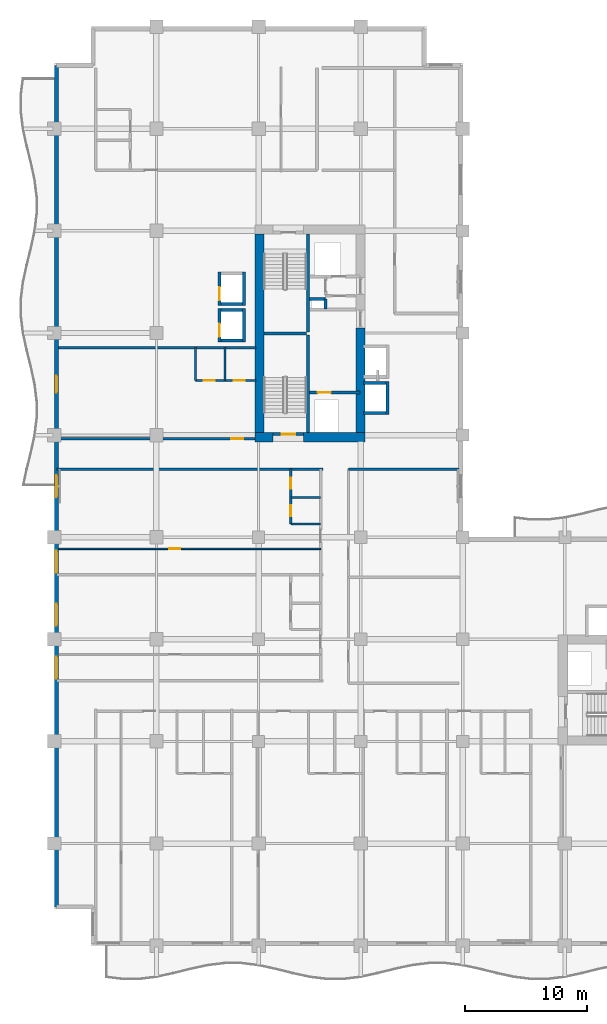
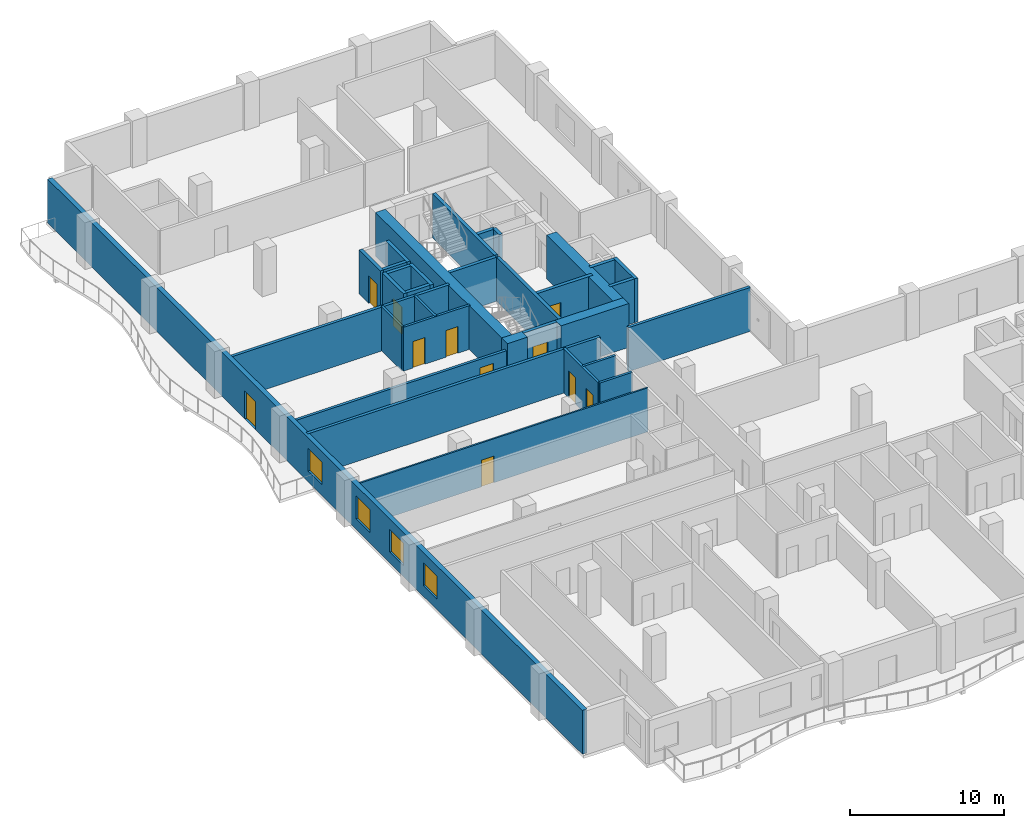
# One storey, part 7 of 16: 33 walls, 11 doors, 4 windows, 15 openings.
"""IFC4 building model written with IfcOpenShell, lengths in metres."""

from ifc_helpers import new_model, si_unit, direction, frame, frame_2d, origin, place, context, subcontext, project, spatial, rectangle, extrude, material, layer, layer_set, type_object, element, fill, save


model = new_model("IFC4")

# Units and contexts
model_context = context("Model", 3, precision=1e-05, world=origin(), true_north=direction((0.0, 1.0)))
body_context = subcontext(model_context, "Body", "Model", "MODEL_VIEW")
ifc_project = project(units=[si_unit("LENGTHUNIT", "METRE"), si_unit("AREAUNIT", "SQUARE_METRE"), si_unit("VOLUMEUNIT", "CUBIC_METRE"), si_unit("PLANEANGLEUNIT", "RADIAN"), si_unit("MASSUNIT", "GRAM", prefix="KILO")], contexts=[model_context])

# Site, building, storey
site_placement = place(None, origin())
site = spatial("IfcSite", under=ifc_project, at=site_placement, CompositionType="ELEMENT")
building_placement = place(site_placement, origin())
building = spatial("IfcBuilding", under=site, at=building_placement, Name="Koriwani Terraces Tower", CompositionType="ELEMENT")
storey_placement = place(building_placement, frame((0.0, 0.0, 179.10009765625)))
storey = spatial("IfcBuildingStorey", under=building, at=storey_placement, Name="L43", CompositionType="ELEMENT", Elevation=179.10009765625)

# Walls
ifc_material_1 = material(Name="Concrete C60/75", Category="concrete")
ifc_layer_1 = layer(ifc_material_1, 0.75, Name="Concrete C60/75")
ifc_layer_set_1 = layer_set([ifc_layer_1], Name="Concrete C60/75")
wall_type_1 = type_object("IfcWallType", Name="WALL_CORE_RC_750", PredefinedType="SHEAR", material=ifc_layer_set_1)
wall_1_placement = place(storey_placement, frame((16.5, 41.824951171875, 0.0), z_axis=(0.0, 0.0, 1.0), x_axis=(1.0, 0.0, 0.0)))
element("IfcWall", 1, at=wall_1_placement, inside=storey, type_object=wall_type_1, Name="L43 West Split Core Shear Wall S1", PredefinedType="SHEAR", context=body_context, shape_type="SweptSolid", body=[
    extrude(rectangle(XDim=1.5, YDim=0.75, at=frame_2d((0.75, 0.0))), origin(), (0.0, 0.0, 1.0), 3.469970703125),
])
wall_2_placement = place(storey_placement, frame((20.5, 41.824951171875, 0.0), z_axis=(0.0, 0.0, 1.0), x_axis=(1.0, 0.0, 0.0)))
element("IfcWall", 2, at=wall_2_placement, inside=storey, type_object=wall_type_1, Name="L43 West Split Core Shear Wall S2", PredefinedType="SHEAR", context=body_context, shape_type="SweptSolid", body=[
    extrude(rectangle(XDim=5.074951171875, YDim=0.75, at=frame_2d((2.53759765625, 0.0))), origin(), (0.0, 0.0, 1.0), 3.469970703125),
])
wall_3_placement = place(storey_placement, frame((16.875, 42.199951171875, 0.0), z_axis=(0.0, 0.0, 1.0), x_axis=(0.0, 1.0, 0.0)))
element("IfcWall", 3, at=wall_3_placement, inside=storey, type_object=wall_type_1, Name="L43 West Split Core Shear Wall W1", PredefinedType="SHEAR", context=body_context, shape_type="SweptSolid", body=[
    extrude(rectangle(XDim=16.35009765625, YDim=0.75, at=frame_2d((8.175048828125, 0.0))), origin(), (0.0, 0.0, 1.0), 3.469970703125),
])
wall_4_placement = place(storey_placement, frame((25.199951171875, 42.199951171875, 0.0), z_axis=(0.0, 0.0, 1.0), x_axis=(0.0, 1.0, 0.0)))
element("IfcWall", 4, at=wall_4_placement, inside=storey, type_object=wall_type_1, Name="L43 West Split Core Shear Wall E1", PredefinedType="SHEAR", context=body_context, shape_type="SweptSolid", body=[
    extrude(rectangle(XDim=8.60009765625, YDim=0.75, at=frame_2d((4.300048828125, 0.0))), origin(), (0.0, 0.0, 1.0), 3.469970703125),
])

# Wall, opening, door
ifc_material_2 = material(Name="Autoclaved Cellular Concrete Blockwork", Category="masonry")
ifc_layer_2 = layer(ifc_material_2, 0.199951171875, Name="Autoclaved Cellular Concrete Blockwork")
ifc_layer_set_2 = layer_set([ifc_layer_2], Name="Autoclaved Cellular Concrete Blockwork")
wall_type_2 = type_object("IfcWallType", Name="WALL_CORRIDOR_200", PredefinedType="PARTITIONING", material=ifc_layer_set_2)
wall_5_placement = place(storey_placement, frame((0.35009765625, 41.699951171875, 0.0), z_axis=(0.0, 0.0, 1.0), x_axis=(1.0, 0.0, 0.0)))
wall_5 = element("IfcWall", 5, at=wall_5_placement, inside=storey, type_object=wall_type_2, Name="L43 Interior Wall WREC-WS-L43", PredefinedType="PARTITIONING", context=body_context, shape_type="SweptSolid", body=[
    extrude(rectangle(XDim=16.25, YDim=0.199951171875, at=frame_2d((8.125, 0.0))), origin(), (0.0, 0.0, 1.0), 2.81982421875),
])
opening_1_placement = place(wall_5_placement, frame((14.199951171875, 0.0, 0.0)))
opening_1 = element("IfcOpeningElement", 6, at=opening_1_placement, cuts=wall_5, Name="Opening D-05", PredefinedType="OPENING", context=body_context, shape_type="SweptSolid", body=[
    extrude(rectangle(XDim=1.0, YDim=2.14990234375, at=frame_2d((0.5, 1.074951171875))), frame((0.0, 0.10986328125, 0.0), z_axis=(0.0, -1.0, 0.0), x_axis=(1.0, 0.0, 0.0)), (0.0, 0.0, 1.0), 0.219970703125),
])
ifc_material_3 = material(Name="Architectural Oak Fire Door", Category="wood")
door_type_1 = type_object("IfcDoorType", Name="DOOR_SUITE_ENTRY_1000X2150", OperationType="NOTDEFINED", PredefinedType="DOOR", material=ifc_material_3)
door_1_placement = place(opening_1_placement, origin())
door_1 = element("IfcDoor", 7, at=door_1_placement, inside=storey, type_object=door_type_1, Name="L43 Reclaimed West Suite Door", OperationType="SINGLE_SWING_LEFT", OverallHeight=2.14990234375, OverallWidth=1.0, PredefinedType="DOOR", context=body_context, shape_type="SweptSolid", body=[
    extrude(rectangle(XDim=1.0, YDim=2.14990234375, at=frame_2d((0.5, 1.074951171875))), frame((0.0, 0.02490234375, 0.0), z_axis=(0.0, -1.0, 0.0), x_axis=(1.0, 0.0, 0.0)), (0.0, 0.0, 1.0), 0.050048828125),
])
fill(opening_1, door_1)

# Walls
ifc_layer_3 = layer(ifc_material_2, 0.219970703125, Name="Autoclaved Cellular Concrete Blockwork")
ifc_layer_set_3 = layer_set([ifc_layer_3], Name="Autoclaved Cellular Concrete Blockwork")
wall_type_3 = type_object("IfcWallType", Name="WALL_DEMISING_220", PredefinedType="PARTITIONING", material=ifc_layer_set_3)
wall_6_placement = place(storey_placement, frame((0.35009765625, 49.199951171875, 0.0), z_axis=(0.0, 0.0, 1.0), x_axis=(1.0, 0.0, 0.0)))
element("IfcWall", 8, at=wall_6_placement, inside=storey, type_object=wall_type_3, Name="L43 Interior Wall WREC-WN-L43", PredefinedType="PARTITIONING", context=body_context, shape_type="SweptSolid", body=[
    extrude(rectangle(XDim=16.25, YDim=0.219970703125, at=frame_2d((8.125, 0.0))), origin(), (0.0, 0.0, 1.0), 3.469970703125),
])
wall_7_placement = place(storey_placement, frame((24.199951171875, 39.199951171875, 0.0), z_axis=(0.0, 0.0, 1.0), x_axis=(1.0, 0.0, 0.0)))
element("IfcWall", 9, at=wall_7_placement, inside=storey, type_object=wall_type_3, Name="L43 Interior Wall WIC2-N-L43", PredefinedType="PARTITIONING", context=body_context, shape_type="SweptSolid", body=[
    extrude(rectangle(XDim=9.10009765625, YDim=0.219970703125, at=frame_2d((4.550048828125, 0.0))), origin(), (0.0, 0.0, 1.0), 3.469970703125),
])
wall_8_placement = place(storey_placement, frame((0.199951171875, 39.199951171875, 0.0), z_axis=(0.0, 0.0, 1.0), x_axis=(1.0, 0.0, 0.0)))
element("IfcWall", 10, at=wall_8_placement, inside=storey, type_object=wall_type_3, Name="L43 Interior Wall WRDEME-L43-NW", PredefinedType="PARTITIONING", context=body_context, shape_type="SweptSolid", body=[
    extrude(rectangle(XDim=21.880126953125, YDim=0.219970703125, at=frame_2d((10.93994140625, 0.0))), origin(), (0.0, 0.0, 1.0), 3.469970703125),
])

# Wall, openings, door, windows
ifc_material_4 = material(Name="Concrete C50/60", Category="concrete")
ifc_layer_4 = layer(ifc_material_4, 0.35009765625, Name="Concrete C50/60")
ifc_layer_set_4 = layer_set([ifc_layer_4], Name="Concrete C50/60")
wall_type_4 = type_object("IfcWallType", Name="WALL_EXT_BRUTALIST_350", PredefinedType="STANDARD", material=ifc_layer_set_4)
wall_9_placement = place(storey_placement, frame((0.175048828125, 3.175048828125, 0.0), z_axis=(0.0, 0.0, 1.0), x_axis=(0.0, 1.0, 0.0)))
wall_9 = element("IfcWall", 11, at=wall_9_placement, inside=storey, type_object=wall_type_4, Name="L43 Fair-Faced Brutalist Exterior Wall (W)", PredefinedType="STANDARD", context=body_context, shape_type="SweptSolid", body=[
    extrude(rectangle(XDim=69.25, YDim=0.35009765625, at=frame_2d((34.625, 0.0))), origin(), (0.0, 0.0, 1.0), 3.469970703125),
])
opening_2_placement = place(wall_9_placement, frame((42.324951171875, 0.0, 0.0)))
opening_2 = element("IfcOpeningElement", 12, at=opening_2_placement, cuts=wall_9, Name="Opening D-09", PredefinedType="OPENING", context=body_context, shape_type="SweptSolid", body=[
    extrude(rectangle(XDim=1.39990234375, YDim=2.199951171875, at=frame_2d((0.699951171875, 1.10009765625))), frame((0.0, 0.18505859375, 0.0), z_axis=(0.0, -1.0, 0.0), x_axis=(1.0, 0.0, 0.0)), (0.0, 0.0, 1.0), 0.3701171875),
])
opening_3_placement = place(wall_9_placement, frame((33.72509765625, 0.0, 0.85009765625)))
opening_3 = element("IfcOpeningElement", 13, at=opening_3_placement, cuts=wall_9, Name="Opening W-04", PredefinedType="OPENING", context=body_context, shape_type="SweptSolid", body=[
    extrude(rectangle(XDim=1.800048828125, YDim=1.800048828125, at=frame_2d((0.89990234375, 0.89990234375))), frame((0.0, 0.18505859375, 0.0), z_axis=(0.0, -1.0, 0.0), x_axis=(1.0, 0.0, 0.0)), (0.0, 0.0, 1.0), 0.3701171875),
])
opening_4_placement = place(wall_9_placement, frame((18.800048828125, 0.0, 0.85009765625)))
opening_4 = element("IfcOpeningElement", 14, at=opening_4_placement, cuts=wall_9, Name="Opening W-04", PredefinedType="OPENING", context=body_context, shape_type="SweptSolid", body=[
    extrude(rectangle(XDim=1.800048828125, YDim=1.800048828125, at=frame_2d((0.89990234375, 0.89990234375))), frame((0.0, 0.18505859375, 0.0), z_axis=(0.0, -1.0, 0.0), x_axis=(1.0, 0.0, 0.0)), (0.0, 0.0, 1.0), 0.3701171875),
])
opening_5_placement = place(wall_9_placement, frame((23.14990234375, 0.0, 0.85009765625)))
opening_5 = element("IfcOpeningElement", 15, at=opening_5_placement, cuts=wall_9, Name="Opening W-04", PredefinedType="OPENING", context=body_context, shape_type="SweptSolid", body=[
    extrude(rectangle(XDim=1.800048828125, YDim=1.800048828125, at=frame_2d((0.89990234375, 0.89990234375))), frame((0.0, 0.18505859375, 0.0), z_axis=(0.0, -1.0, 0.0), x_axis=(1.0, 0.0, 0.0)), (0.0, 0.0, 1.0), 0.3701171875),
])
opening_6_placement = place(wall_9_placement, frame((27.5, 0.0, 0.85009765625)))
opening_6 = element("IfcOpeningElement", 16, at=opening_6_placement, cuts=wall_9, Name="Opening W-04", PredefinedType="OPENING", context=body_context, shape_type="SweptSolid", body=[
    extrude(rectangle(XDim=1.800048828125, YDim=1.800048828125, at=frame_2d((0.89990234375, 0.89990234375))), frame((0.0, 0.18505859375, 0.0), z_axis=(0.0, -1.0, 0.0), x_axis=(1.0, 0.0, 0.0)), (0.0, 0.0, 1.0), 0.3701171875),
])
ifc_material_5 = material(Name="Anodised Bronze Aluminium", Category="aluminium")
door_type_2 = type_object("IfcDoorType", Name="DOOR_BALCONY_GLAZED_1400X2200", OperationType="NOTDEFINED", PredefinedType="DOOR", material=ifc_material_5)
door_2_placement = place(opening_2_placement, origin())
door_2 = element("IfcDoor", 17, at=door_2_placement, inside=storey, type_object=door_type_2, Name="L43 West Balcony Glazed Door", OperationType="SINGLE_SWING_LEFT", OverallHeight=2.199951171875, OverallWidth=1.39990234375, PredefinedType="DOOR", context=body_context, shape_type="SweptSolid", body=[
    extrude(rectangle(XDim=1.39990234375, YDim=2.199951171875, at=frame_2d((0.699951171875, 1.10009765625))), frame((0.0, 0.02490234375, 0.0), z_axis=(0.0, -1.0, 0.0), x_axis=(1.0, 0.0, 0.0)), (0.0, 0.0, 1.0), 0.050048828125),
])
fill(opening_2, door_2)
ifc_material_6 = material(Name="Tempered Laminated Low-E Glass", Category="glass")
window_type = type_object("IfcWindowType", Name="WIN_RES_BED_1800X1800", PartitioningType="DOUBLE_PANEL_VERTICAL", PredefinedType="WINDOW", material=ifc_material_6)
window_1_placement = place(opening_3_placement, origin())
window_1 = element("IfcWindow", 18, at=window_1_placement, inside=storey, type_object=window_type, Name="L43 Exterior Window (W-12)", OverallHeight=1.800048828125, OverallWidth=1.800048828125, PartitioningType="SINGLE_PANEL", PredefinedType="WINDOW", context=body_context, shape_type="SweptSolid", body=[
    extrude(rectangle(XDim=1.800048828125, YDim=1.800048828125, at=frame_2d((0.89990234375, 0.89990234375))), frame((0.0, 0.030029296875, 0.0), z_axis=(0.0, -1.0, 0.0), x_axis=(1.0, 0.0, 0.0)), (0.0, 0.0, 1.0), 0.06005859375),
])
fill(opening_3, window_1)
window_2_placement = place(opening_4_placement, origin())
window_2 = element("IfcWindow", 19, at=window_2_placement, inside=storey, type_object=window_type, Name="L43 Exterior Window (W-R49)", OverallHeight=1.800048828125, OverallWidth=1.800048828125, PartitioningType="SINGLE_PANEL", PredefinedType="WINDOW", context=body_context, shape_type="SweptSolid", body=[
    extrude(rectangle(XDim=1.800048828125, YDim=1.800048828125, at=frame_2d((0.89990234375, 0.89990234375))), frame((0.0, 0.030029296875, 0.0), z_axis=(0.0, -1.0, 0.0), x_axis=(1.0, 0.0, 0.0)), (0.0, 0.0, 1.0), 0.06005859375),
])
fill(opening_4, window_2)
window_3_placement = place(opening_5_placement, origin())
window_3 = element("IfcWindow", 20, at=window_3_placement, inside=storey, type_object=window_type, Name="L43 Exterior Window (W-R50)", OverallHeight=1.800048828125, OverallWidth=1.800048828125, PartitioningType="SINGLE_PANEL", PredefinedType="WINDOW", context=body_context, shape_type="SweptSolid", body=[
    extrude(rectangle(XDim=1.800048828125, YDim=1.800048828125, at=frame_2d((0.89990234375, 0.89990234375))), frame((0.0, 0.030029296875, 0.0), z_axis=(0.0, -1.0, 0.0), x_axis=(1.0, 0.0, 0.0)), (0.0, 0.0, 1.0), 0.06005859375),
])
fill(opening_5, window_3)
window_4_placement = place(opening_6_placement, origin())
window_4 = element("IfcWindow", 21, at=window_4_placement, inside=storey, type_object=window_type, Name="L43 Exterior Window (W-R53)", OverallHeight=1.800048828125, OverallWidth=1.800048828125, PartitioningType="SINGLE_PANEL", PredefinedType="WINDOW", context=body_context, shape_type="SweptSolid", body=[
    extrude(rectangle(XDim=1.800048828125, YDim=1.800048828125, at=frame_2d((0.89990234375, 0.89990234375))), frame((0.0, 0.030029296875, 0.0), z_axis=(0.0, -1.0, 0.0), x_axis=(1.0, 0.0, 0.0)), (0.0, 0.0, 1.0), 0.06005859375),
])
fill(opening_6, window_4)

# Wall, opening, door
ifc_material_7 = material(Name="Fire-Rated Acoustic Gypsum Partition", Category="masonry")
ifc_layer_5 = layer(ifc_material_7, 0.125, Name="Fire-Rated Acoustic Gypsum Partition")
ifc_layer_set_5 = layer_set([ifc_layer_5], Name="Fire-Rated Acoustic Gypsum Partition")
wall_type_5 = type_object("IfcWallType", Name="WALL_INT_125", PredefinedType="PARTITIONING", material=ifc_layer_set_5)
wall_10_placement = place(storey_placement, frame((0.35009765625, 32.64990234375, 0.0), z_axis=(0.0, 0.0, 1.0), x_axis=(1.0, 0.0, 0.0)))
wall_10 = element("IfcWall", 22, at=wall_10_placement, inside=storey, type_object=wall_type_5, Name="L43 Interior Wall WRBED1-L43-NW-1", PredefinedType="PARTITIONING", context=body_context, shape_type="SweptSolid", body=[
    extrude(rectangle(XDim=21.5498046875, YDim=0.125, at=frame_2d((10.77490234375, 0.0))), origin(), (0.0, 0.0, 1.0), 3.469970703125),
])
opening_7_placement = place(wall_10_placement, frame((9.090087890625, 0.0, 0.0)))
opening_7 = element("IfcOpeningElement", 23, at=opening_7_placement, cuts=wall_10, Name="Opening D-06", PredefinedType="OPENING", context=body_context, shape_type="SweptSolid", body=[
    extrude(rectangle(XDim=0.919921875, YDim=2.10009765625, at=frame_2d((0.4599609375, 1.050048828125))), frame((0.0, 0.072509765625, 0.0), z_axis=(0.0, -1.0, 0.0), x_axis=(1.0, 0.0, 0.0)), (0.0, 0.0, 1.0), 0.14501953125),
])
door_type_3 = type_object("IfcDoorType", Name="DOOR_ROOM_INT_920X2100", OperationType="NOTDEFINED", PredefinedType="DOOR", material=ifc_material_3)
door_3_placement = place(opening_7_placement, origin())
door_3 = element("IfcDoor", 24, at=door_3_placement, inside=storey, type_object=door_type_3, Name="Apartment 43NW2 Master Bedroom Door", OperationType="SINGLE_SWING_RIGHT", OverallHeight=2.10009765625, OverallWidth=0.919921875, PredefinedType="DOOR", context=body_context, shape_type="SweptSolid", body=[
    extrude(rectangle(XDim=0.919921875, YDim=2.10009765625, at=frame_2d((0.4599609375, 1.050048828125))), frame((0.0, 0.02490234375, 0.0), z_axis=(0.0, -1.0, 0.0), x_axis=(1.0, 0.0, 0.0)), (0.0, 0.0, 1.0), 0.050048828125),
])
fill(opening_7, door_3)

# Wall, openings, doors
ifc_layer_6 = layer(ifc_material_7, 0.179931640625, Name="Fire-Rated Acoustic Gypsum Partition")
ifc_layer_set_6 = layer_set([ifc_layer_6], Name="Fire-Rated Acoustic Gypsum Partition")
wall_type_6 = type_object("IfcWallType", Name="WALL_PLUMBING_180", PredefinedType="PLUMBINGWALL", material=ifc_layer_set_6)
wall_11_placement = place(storey_placement, frame((11.60009765625, 46.5, 0.0), z_axis=(0.0, 0.0, 1.0), x_axis=(1.0, 0.0, 0.0)))
wall_11 = element("IfcWall", 25, at=wall_11_placement, inside=storey, type_object=wall_type_6, Name="L43 Interior Wall WREC-WBB-L43", PredefinedType="PLUMBINGWALL", context=body_context, shape_type="SweptSolid", body=[
    extrude(rectangle(XDim=5.0, YDim=0.179931640625, at=frame_2d((2.5, 0.0))), origin(), (0.0, 0.0, 1.0), 3.469970703125),
])
opening_8_placement = place(wall_11_placement, frame((0.699951171875, 0.0, 0.0)))
opening_8 = element("IfcOpeningElement", 26, at=opening_8_placement, cuts=wall_11, Name="Opening D-07", PredefinedType="OPENING", context=body_context, shape_type="SweptSolid", body=[
    extrude(rectangle(XDim=0.89990234375, YDim=2.10009765625, at=frame_2d((0.449951171875, 1.050048828125))), frame((0.0, 0.10009765625, 0.0), z_axis=(0.0, -1.0, 0.0), x_axis=(1.0, 0.0, 0.0)), (0.0, 0.0, 1.0), 0.199951171875),
])
opening_9_placement = place(wall_11_placement, frame((3.14990234375, 0.0, 0.0)))
opening_9 = element("IfcOpeningElement", 27, at=opening_9_placement, cuts=wall_11, Name="Opening D-06", PredefinedType="OPENING", context=body_context, shape_type="SweptSolid", body=[
    extrude(rectangle(XDim=0.919921875, YDim=2.10009765625, at=frame_2d((0.4599609375, 1.050048828125))), frame((0.0, 0.10009765625, 0.0), z_axis=(0.0, -1.0, 0.0), x_axis=(1.0, 0.0, 0.0)), (0.0, 0.0, 1.0), 0.199951171875),
])
door_type_4 = type_object("IfcDoorType", Name="DOOR_BATH_INT_900X2100", OperationType="NOTDEFINED", PredefinedType="DOOR", material=ifc_material_3)
door_4_placement = place(opening_8_placement, origin())
door_4 = element("IfcDoor", 28, at=door_4_placement, inside=storey, type_object=door_type_4, Name="Apartment 43RW Bathroom Door", OperationType="SINGLE_SWING_RIGHT", OverallHeight=2.10009765625, OverallWidth=0.89990234375, PredefinedType="DOOR", context=body_context, shape_type="SweptSolid", body=[
    extrude(rectangle(XDim=0.89990234375, YDim=2.10009765625, at=frame_2d((0.449951171875, 1.050048828125))), frame((0.0, 0.02490234375, 0.0), z_axis=(0.0, -1.0, 0.0), x_axis=(1.0, 0.0, 0.0)), (0.0, 0.0, 1.0), 0.050048828125),
])
fill(opening_8, door_4)
door_5_placement = place(opening_9_placement, origin())
door_5 = element("IfcDoor", 29, at=door_5_placement, inside=storey, type_object=door_type_3, Name="Apartment 43RW Kitchen Door", OperationType="SINGLE_SWING_LEFT", OverallHeight=2.10009765625, OverallWidth=0.919921875, PredefinedType="DOOR", context=body_context, shape_type="SweptSolid", body=[
    extrude(rectangle(XDim=0.919921875, YDim=2.10009765625, at=frame_2d((0.4599609375, 1.050048828125))), frame((0.0, 0.02490234375, 0.0), z_axis=(0.0, -1.0, 0.0), x_axis=(1.0, 0.0, 0.0)), (0.0, 0.0, 1.0), 0.050048828125),
])
fill(opening_9, door_5)

# Walls
for number, where, z_axis, x_axis, name in (
    (30, (11.60009765625, 46.5, 0.0), (0.0, 0.0, 1.0), (0.0, 1.0, 0.0), "L43 Interior Wall WREC-WB2-L43"),
    (31, (14.050048828125, 46.5, 0.0), (0.0, 0.0, 1.0), (0.0, 1.0, 0.0), "L43 Interior Wall WREC-WB3-L43"),
):
    element("IfcWall", number, at=place(storey_placement, frame(where, z_axis=z_axis, x_axis=x_axis)), inside=storey, type_object=wall_type_6, Name=name, PredefinedType="PLUMBINGWALL", context=body_context, shape_type="SweptSolid", body=[
        extrude(rectangle(XDim=2.699951171875, YDim=0.179931640625, at=frame_2d((1.35009765625, 0.0))), origin(), (0.0, 0.0, 1.0), 3.469970703125),
    ])

# Wall, openings, doors
wall_12_placement = place(storey_placement, frame((19.449951171875, 34.699951171875, 0.0), z_axis=(0.0, 0.0, 1.0), x_axis=(0.0, 1.0, 0.0)))
wall_12 = element("IfcWall", 32, at=wall_12_placement, inside=storey, type_object=wall_type_6, Name="L43 Interior Wall WRSVC-L43-NW-1", PredefinedType="PLUMBINGWALL", context=body_context, shape_type="SweptSolid", body=[
    extrude(rectangle(XDim=4.5, YDim=0.179931640625, at=frame_2d((2.25, 0.0))), origin(), (0.0, 0.0, 1.0), 3.469970703125),
])
opening_10_placement = place(wall_12_placement, frame((0.6298828125, 0.0, 0.0)))
opening_10 = element("IfcOpeningElement", 33, at=opening_10_placement, cuts=wall_12, Name="Opening D-07", PredefinedType="OPENING", context=body_context, shape_type="SweptSolid", body=[
    extrude(rectangle(XDim=0.89990234375, YDim=2.10009765625, at=frame_2d((0.449951171875, 1.050048828125))), frame((0.0, 0.10009765625, 0.0), z_axis=(0.0, -1.0, 0.0), x_axis=(1.0, 0.0, 0.0)), (0.0, 0.0, 1.0), 0.199951171875),
])
opening_11_placement = place(wall_12_placement, frame((2.8701171875, 0.0, 0.0)))
opening_11 = element("IfcOpeningElement", 34, at=opening_11_placement, cuts=wall_12, Name="Opening D-06", PredefinedType="OPENING", context=body_context, shape_type="SweptSolid", body=[
    extrude(rectangle(XDim=0.919921875, YDim=2.10009765625, at=frame_2d((0.4599609375, 1.050048828125))), frame((0.0, 0.10009765625, 0.0), z_axis=(0.0, -1.0, 0.0), x_axis=(1.0, 0.0, 0.0)), (0.0, 0.0, 1.0), 0.199951171875),
])
door_6_placement = place(opening_10_placement, origin())
door_6 = element("IfcDoor", 35, at=door_6_placement, inside=storey, type_object=door_type_4, Name="Apartment 43NW2 Bathroom Door", OperationType="SINGLE_SWING_RIGHT", OverallHeight=2.10009765625, OverallWidth=0.89990234375, PredefinedType="DOOR", context=body_context, shape_type="SweptSolid", body=[
    extrude(rectangle(XDim=0.89990234375, YDim=2.10009765625, at=frame_2d((0.449951171875, 1.050048828125))), frame((0.0, 0.02490234375, 0.0), z_axis=(0.0, -1.0, 0.0), x_axis=(1.0, 0.0, 0.0)), (0.0, 0.0, 1.0), 0.050048828125),
])
fill(opening_10, door_6)
door_7_placement = place(opening_11_placement, origin())
door_7 = element("IfcDoor", 36, at=door_7_placement, inside=storey, type_object=door_type_3, Name="Apartment 43NW2 Kitchen Door", OperationType="SINGLE_SWING_LEFT", OverallHeight=2.10009765625, OverallWidth=0.919921875, PredefinedType="DOOR", context=body_context, shape_type="SweptSolid", body=[
    extrude(rectangle(XDim=0.919921875, YDim=2.10009765625, at=frame_2d((0.4599609375, 1.050048828125))), frame((0.0, 0.02490234375, 0.0), z_axis=(0.0, -1.0, 0.0), x_axis=(1.0, 0.0, 0.0)), (0.0, 0.0, 1.0), 0.050048828125),
])
fill(opening_11, door_7)

# Walls
for number, where, z_axis, x_axis, name in (
    (37, (19.449951171875, 34.699951171875, 0.0), (0.0, 0.0, 1.0), (1.0, 0.0, 0.0), "L43 Interior Wall WRSVCS-L43-NW-1"),
    (38, (19.449951171875, 36.860107421875, 0.0), (0.0, 0.0, 1.0), (1.0, 0.0, 0.0), "L43 Interior Wall WRSVCM-L43-NW-1"),
):
    element("IfcWall", number, at=place(storey_placement, frame(where, z_axis=z_axis, x_axis=x_axis)), inside=storey, type_object=wall_type_6, Name=name, PredefinedType="PLUMBINGWALL", context=body_context, shape_type="SweptSolid", body=[
        extrude(rectangle(XDim=2.449951171875, YDim=0.179931640625, at=frame_2d((1.22509765625, 0.0))), origin(), (0.0, 0.0, 1.0), 3.469970703125),
    ])
ifc_material_8 = material(Name="Concrete C40/50", Category="concrete")
ifc_layer_7 = layer(ifc_material_8, 0.25, Name="Concrete C40/50")
ifc_layer_set_7 = layer_set([ifc_layer_7], Name="Concrete C40/50")
wall_type_7 = type_object("IfcWallType", Name="WALL_SHAFT_RATED_250", PredefinedType="SOLIDWALL", material=ifc_layer_set_7)
for number, where, z_axis, x_axis, name in (
    (39, (20.875, 42.199951171875, 0.0), (0.0, 0.0, 1.0), (0.0, 1.0, 0.0), "L43 West Split Core Web Wall MID1"),
    (40, (20.875, 50.5, 0.0), (0.0, 0.0, 1.0), (0.0, 1.0, 0.0), "L43 West Split Core Web Wall MID2"),
):
    element("IfcWall", number, at=place(storey_placement, frame(where, z_axis=z_axis, x_axis=x_axis)), inside=storey, type_object=wall_type_7, Name=name, PredefinedType="SOLIDWALL", context=body_context, shape_type="SweptSolid", body=[
        extrude(rectangle(XDim=8.050048828125, YDim=0.25, at=frame_2d((4.02490234375, 0.0))), origin(), (0.0, 0.0, 1.0), 3.469970703125),
    ])
wall_13_placement = place(storey_placement, frame((17.25, 50.375, 0.0), z_axis=(0.0, 0.0, 1.0), x_axis=(1.0, 0.0, 0.0)))
element("IfcWall", 41, at=wall_13_placement, inside=storey, type_object=wall_type_7, Name="L43 West Split Core Stair Dividing Wall", PredefinedType="SOLIDWALL", context=body_context, shape_type="SweptSolid", body=[
    extrude(rectangle(XDim=3.5, YDim=0.25, at=frame_2d((1.75, 0.0))), origin(), (0.0, 0.0, 1.0), 3.469970703125),
])

# Wall, opening, door
wall_14_placement = place(storey_placement, frame((18.0, 42.074951171875, 0.0), z_axis=(0.0, 0.0, 1.0), x_axis=(1.0, 0.0, 0.0)))
wall_14 = element("IfcWall", 42, at=wall_14_placement, inside=storey, type_object=wall_type_7, Name="L43 Interior Wall WIN-CW-L43-STS", PredefinedType="SOLIDWALL", context=body_context, shape_type="SweptSolid", body=[
    extrude(rectangle(XDim=2.5, YDim=0.25, at=frame_2d((1.25, 0.0))), origin(), (0.0, 0.0, 1.0), 3.469970703125),
])
opening_12_placement = place(wall_14_placement, frame((0.699951171875, 0.0, 0.0)))
opening_12 = element("IfcOpeningElement", 43, at=opening_12_placement, cuts=wall_14, Name="Opening D-03", PredefinedType="OPENING", context=body_context, shape_type="SweptSolid", body=[
    extrude(rectangle(XDim=1.10009765625, YDim=2.14990234375, at=frame_2d((0.550048828125, 1.074951171875))), frame((0.0, 0.135009765625, 0.0), z_axis=(0.0, -1.0, 0.0), x_axis=(1.0, 0.0, 0.0)), (0.0, 0.0, 1.0), 0.27001953125),
])
ifc_material_9 = material(Name="Steel ASTM A572 Grade 50", Category="steel")
door_type_5 = type_object("IfcDoorType", Name="DOOR_STAIR_FIRE_1100X2150", OperationType="NOTDEFINED", PredefinedType="DOOR", material=ifc_material_9)
door_8_placement = place(opening_12_placement, origin())
door_8 = element("IfcDoor", 44, at=door_8_placement, inside=storey, type_object=door_type_5, Name="L43 Exit Stair ST-W1 Door", OperationType="SINGLE_SWING_LEFT", OverallHeight=2.14990234375, OverallWidth=1.10009765625, PredefinedType="DOOR", context=body_context, shape_type="SweptSolid", body=[
    extrude(rectangle(XDim=1.10009765625, YDim=2.14990234375, at=frame_2d((0.550048828125, 1.074951171875))), frame((0.0, 0.02490234375, 0.0), z_axis=(0.0, -1.0, 0.0), x_axis=(1.0, 0.0, 0.0)), (0.0, 0.0, 1.0), 0.050048828125),
])
fill(opening_12, door_8)

wall_15_placement = place(storey_placement, frame((21.0, 45.5, 0.0), z_axis=(0.0, 0.0, 1.0), x_axis=(1.0, 0.0, 0.0)))
wall_15 = element("IfcWall", 45, at=wall_15_placement, inside=storey, type_object=wall_type_7, Name="L43 Interior Wall WIN-CW-L43-FE", PredefinedType="SOLIDWALL", context=body_context, shape_type="SweptSolid", body=[
    extrude(rectangle(XDim=4.14990234375, YDim=0.25, at=frame_2d((2.074951171875, 0.0))), origin(), (0.0, 0.0, 1.0), 3.469970703125),
])
opening_13_placement = place(wall_15_placement, frame((0.64990234375, 0.0, 0.0)))
opening_13 = element("IfcOpeningElement", 46, at=opening_13_placement, cuts=wall_15, Name="Opening LD-01", PredefinedType="OPENING", context=body_context, shape_type="SweptSolid", body=[
    extrude(rectangle(XDim=1.10009765625, YDim=2.14990234375, at=frame_2d((0.550048828125, 1.074951171875))), frame((0.0, 0.135009765625, 0.0), z_axis=(0.0, -1.0, 0.0), x_axis=(1.0, 0.0, 0.0)), (0.0, 0.0, 1.0), 0.27001953125),
])
door_type_6 = type_object("IfcDoorType", Name="DOOR_LIFT_LANDING_1100X2200", OperationType="NOTDEFINED", PredefinedType="DOOR", material=ifc_material_9)
door_9_placement = place(opening_13_placement, origin())
door_9 = element("IfcDoor", 47, at=door_9_placement, inside=storey, type_object=door_type_6, Name="L43 Firefighting Lift FE-01 Landing Door", OperationType="SLIDING_TO_LEFT", OverallHeight=2.14990234375, OverallWidth=1.10009765625, PredefinedType="DOOR", context=body_context, shape_type="SweptSolid", body=[
    extrude(rectangle(XDim=1.10009765625, YDim=2.14990234375, at=frame_2d((0.550048828125, 1.074951171875))), frame((0.0, 0.02490234375, 0.0), z_axis=(0.0, -1.0, 0.0), x_axis=(1.0, 0.0, 0.0)), (0.0, 0.0, 1.0), 0.050048828125),
])
fill(opening_13, door_9)

# Walls
wall_16_placement = place(storey_placement, frame((21.0, 53.199951171875, 0.0), z_axis=(0.0, 0.0, 1.0), x_axis=(1.0, 0.0, 0.0)))
element("IfcWall", 48, at=wall_16_placement, inside=storey, type_object=wall_type_7, Name="L43 Interior Wall WIN-CW-L43-RS1", PredefinedType="SOLIDWALL", context=body_context, shape_type="SweptSolid", body=[
    extrude(rectangle(XDim=1.300048828125, YDim=0.25, at=frame_2d((0.64990234375, 0.0))), origin(), (0.0, 0.0, 1.0), 3.469970703125),
])
wall_17_placement = place(storey_placement, frame((22.300048828125, 52.360107421875, 0.0), z_axis=(0.0, 0.0, 1.0), x_axis=(0.0, 1.0, 0.0)))
element("IfcWall", 49, at=wall_17_placement, inside=storey, type_object=wall_type_7, Name="L43 Interior Wall WIN-CW-L43-RS2", PredefinedType="SOLIDWALL", context=body_context, shape_type="SweptSolid", body=[
    extrude(rectangle(XDim=0.83984375, YDim=0.25, at=frame_2d((0.419921875, 0.0))), origin(), (0.0, 0.0, 1.0), 3.469970703125),
])

# Wall, opening, door
wall_18_placement = place(storey_placement, frame((13.60009765625, 49.675048828125, 0.0), z_axis=(0.0, 0.0, 1.0), x_axis=(0.0, 1.0, 0.0)))
wall_18 = element("IfcWall", 50, at=wall_18_placement, inside=storey, type_object=wall_type_7, Name="L43 Interior Wall WIN-LF-PE-M1-L43-F", PredefinedType="SOLIDWALL", context=body_context, shape_type="SweptSolid", body=[
    extrude(rectangle(XDim=2.75, YDim=0.25, at=frame_2d((1.375, 0.0))), origin(), (0.0, 0.0, 1.0), 3.469970703125),
])
opening_14_placement = place(wall_18_placement, frame((0.39990234375, 0.0, 0.0)))
opening_14 = element("IfcOpeningElement", 51, at=opening_14_placement, cuts=wall_18, Name="Opening LD-01", PredefinedType="OPENING", context=body_context, shape_type="SweptSolid", body=[
    extrude(rectangle(XDim=1.10009765625, YDim=2.14990234375, at=frame_2d((0.550048828125, 1.074951171875))), frame((0.0, 0.135009765625, 0.0), z_axis=(0.0, -1.0, 0.0), x_axis=(1.0, 0.0, 0.0)), (0.0, 0.0, 1.0), 0.27001953125),
])
door_10_placement = place(opening_14_placement, origin())
door_10 = element("IfcDoor", 52, at=door_10_placement, inside=storey, type_object=door_type_6, Name="L43 Passenger Lift PE-M1 Landing Door", OperationType="SLIDING_TO_LEFT", OverallHeight=2.14990234375, OverallWidth=1.10009765625, PredefinedType="DOOR", context=body_context, shape_type="SweptSolid", body=[
    extrude(rectangle(XDim=1.10009765625, YDim=2.14990234375, at=frame_2d((0.550048828125, 1.074951171875))), frame((0.0, 0.02490234375, 0.0), z_axis=(0.0, -1.0, 0.0), x_axis=(1.0, 0.0, 0.0)), (0.0, 0.0, 1.0), 0.050048828125),
])
fill(opening_14, door_10)

# Walls
wall_19_placement = place(storey_placement, frame((15.60009765625, 49.675048828125, 0.0), z_axis=(0.0, 0.0, 1.0), x_axis=(0.0, 1.0, 0.0)))
element("IfcWall", 53, at=wall_19_placement, inside=storey, type_object=wall_type_7, Name="L43 Interior Wall WIN-LF-PE-M1-L43-B", PredefinedType="SOLIDWALL", context=body_context, shape_type="SweptSolid", body=[
    extrude(rectangle(XDim=2.75, YDim=0.25, at=frame_2d((1.375, 0.0))), origin(), (0.0, 0.0, 1.0), 3.469970703125),
])
for number, where, z_axis, x_axis, name in (
    (54, (13.72509765625, 49.800048828125, 0.0), (0.0, 0.0, 1.0), (1.0, 0.0, 0.0), "L43 Interior Wall WIN-LF-PE-M1-L43-S"),
    (55, (13.72509765625, 52.300048828125, 0.0), (0.0, 0.0, 1.0), (1.0, 0.0, 0.0), "L43 Interior Wall WIN-LF-PE-M1-L43-N"),
):
    element("IfcWall", number, at=place(storey_placement, frame(where, z_axis=z_axis, x_axis=x_axis)), inside=storey, type_object=wall_type_7, Name=name, PredefinedType="SOLIDWALL", context=body_context, shape_type="SweptSolid", body=[
        extrude(rectangle(XDim=1.75, YDim=0.25, at=frame_2d((0.875, 0.0))), origin(), (0.0, 0.0, 1.0), 3.469970703125),
    ])

# Wall, opening, door
wall_20_placement = place(storey_placement, frame((13.60009765625, 52.675048828125, 0.0), z_axis=(0.0, 0.0, 1.0), x_axis=(0.0, 1.0, 0.0)))
wall_20 = element("IfcWall", 56, at=wall_20_placement, inside=storey, type_object=wall_type_7, Name="L43 Interior Wall WIN-LF-PE-M2-L43-F", PredefinedType="SOLIDWALL", context=body_context, shape_type="SweptSolid", body=[
    extrude(rectangle(XDim=2.75, YDim=0.25, at=frame_2d((1.375, 0.0))), origin(), (0.0, 0.0, 1.0), 3.469970703125),
])
opening_15_placement = place(wall_20_placement, frame((0.39990234375, 0.0, 0.0)))
opening_15 = element("IfcOpeningElement", 57, at=opening_15_placement, cuts=wall_20, Name="Opening LD-01", PredefinedType="OPENING", context=body_context, shape_type="SweptSolid", body=[
    extrude(rectangle(XDim=1.10009765625, YDim=2.14990234375, at=frame_2d((0.550048828125, 1.074951171875))), frame((0.0, 0.135009765625, 0.0), z_axis=(0.0, -1.0, 0.0), x_axis=(1.0, 0.0, 0.0)), (0.0, 0.0, 1.0), 0.27001953125),
])
door_11_placement = place(opening_15_placement, origin())
door_11 = element("IfcDoor", 58, at=door_11_placement, inside=storey, type_object=door_type_6, Name="L43 Passenger Lift PE-M2 Landing Door", OperationType="SLIDING_TO_LEFT", OverallHeight=2.14990234375, OverallWidth=1.10009765625, PredefinedType="DOOR", context=body_context, shape_type="SweptSolid", body=[
    extrude(rectangle(XDim=1.10009765625, YDim=2.14990234375, at=frame_2d((0.550048828125, 1.074951171875))), frame((0.0, 0.02490234375, 0.0), z_axis=(0.0, -1.0, 0.0), x_axis=(1.0, 0.0, 0.0)), (0.0, 0.0, 1.0), 0.050048828125),
])
fill(opening_15, door_11)

# Walls
wall_21_placement = place(storey_placement, frame((15.60009765625, 52.675048828125, 0.0), z_axis=(0.0, 0.0, 1.0), x_axis=(0.0, 1.0, 0.0)))
element("IfcWall", 59, at=wall_21_placement, inside=storey, type_object=wall_type_7, Name="L43 Interior Wall WIN-LF-PE-M2-L43-B", PredefinedType="SOLIDWALL", context=body_context, shape_type="SweptSolid", body=[
    extrude(rectangle(XDim=2.75, YDim=0.25, at=frame_2d((1.375, 0.0))), origin(), (0.0, 0.0, 1.0), 3.469970703125),
])
wall_22_placement = place(storey_placement, frame((13.72509765625, 52.800048828125, 0.0), z_axis=(0.0, 0.0, 1.0), x_axis=(1.0, 0.0, 0.0)))
element("IfcWall", 60, at=wall_22_placement, inside=storey, type_object=wall_type_7, Name="L43 Interior Wall WIN-LF-PE-M2-L43-S", PredefinedType="SOLIDWALL", context=body_context, shape_type="SweptSolid", body=[
    extrude(rectangle(XDim=1.75, YDim=0.25, at=frame_2d((0.875, 0.0))), origin(), (0.0, 0.0, 1.0), 3.469970703125),
])
wall_23_placement = place(storey_placement, frame((27.39990234375, 43.675048828125, 0.0), z_axis=(0.0, 0.0, 1.0), x_axis=(0.0, 1.0, 0.0)))
element("IfcWall", 61, at=wall_23_placement, inside=storey, type_object=wall_type_7, Name="L43 Interior Wall WIN-LF-PE-H1-L43-F", PredefinedType="SOLIDWALL", context=body_context, shape_type="SweptSolid", body=[
    extrude(rectangle(XDim=2.75, YDim=0.25, at=frame_2d((1.375, 0.0))), origin(), (0.0, 0.0, 1.0), 3.469970703125),
])
for number, where, z_axis, x_axis, name in (
    (62, (25.449951171875, 43.800048828125, 0.0), (0.0, 0.0, 1.0), (1.0, 0.0, 0.0), "L43 Interior Wall WIN-LF-PE-H1-L43-S"),
    (63, (25.449951171875, 46.300048828125, 0.0), (0.0, 0.0, 1.0), (1.0, 0.0, 0.0), "L43 Interior Wall WIN-LF-PE-H1-L43-N"),
):
    element("IfcWall", number, at=place(storey_placement, frame(where, z_axis=z_axis, x_axis=x_axis)), inside=storey, type_object=wall_type_7, Name=name, PredefinedType="SOLIDWALL", context=body_context, shape_type="SweptSolid", body=[
        extrude(rectangle(XDim=1.824951171875, YDim=0.25, at=frame_2d((0.91259765625, 0.0))), origin(), (0.0, 0.0, 1.0), 3.469970703125),
    ])

save(model, "model.ifc")
